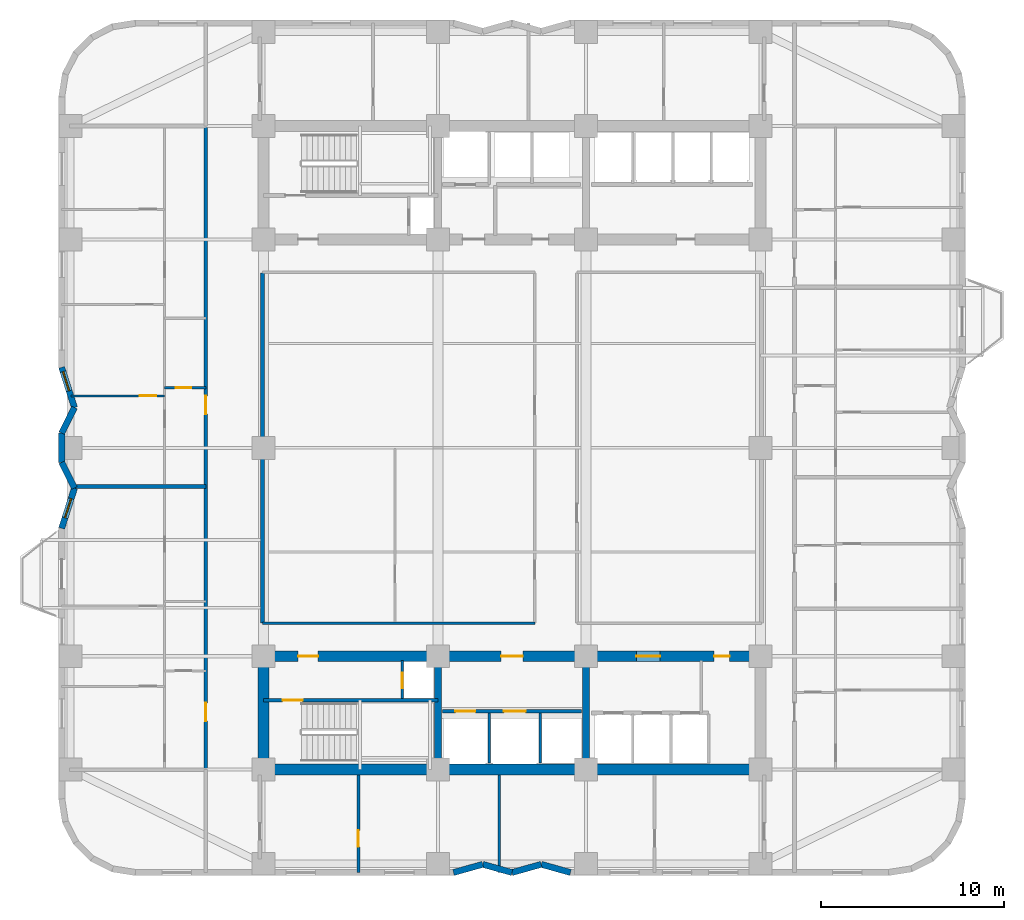
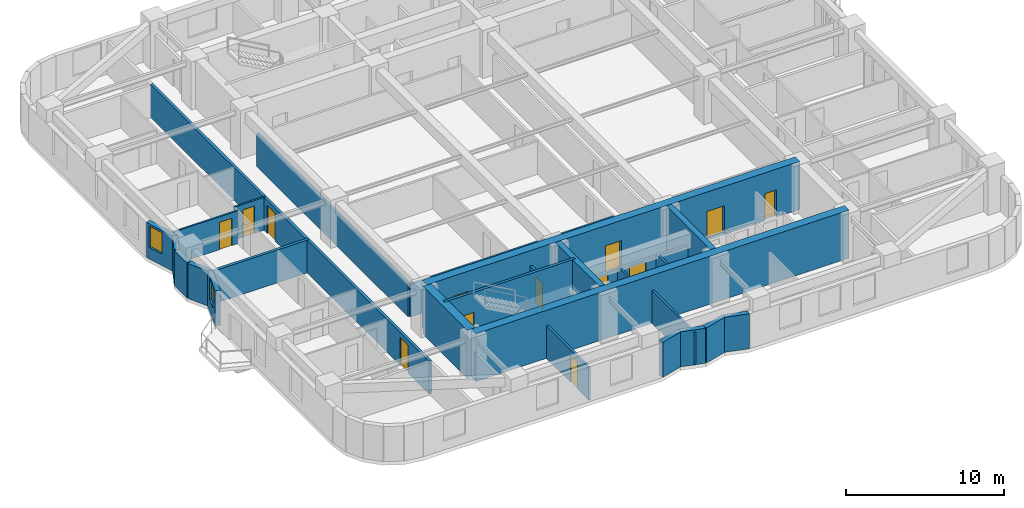
# One storey, part 3 of 9: 27 walls, 13 doors, 2 windows, 15 openings.
"""IFC4 building model written with IfcOpenShell, lengths in metres."""

from ifc_helpers import new_model, si_unit, direction, frame, frame_2d, origin, place, context, subcontext, project, spatial, rectangle, extrude, material, layer, layer_set, type_object, element, fill, save


model = new_model("IFC4")

# Units and contexts
model_context = context("Model", 3, precision=1e-05, world=origin(), true_north=direction((0.0, 1.0)))
body_context = subcontext(model_context, "Body", "Model", "MODEL_VIEW")
ifc_project = project(units=[si_unit("LENGTHUNIT", "METRE"), si_unit("AREAUNIT", "SQUARE_METRE"), si_unit("VOLUMEUNIT", "CUBIC_METRE"), si_unit("PLANEANGLEUNIT", "RADIAN"), si_unit("MASSUNIT", "GRAM", prefix="KILO")], contexts=[model_context])

# Site, building, storey
site_placement = place(None, origin())
site = spatial("IfcSite", under=ifc_project, at=site_placement, CompositionType="ELEMENT")
building_placement = place(site_placement, origin())
building = spatial("IfcBuilding", under=site, at=building_placement, Name="Svetorya Sky Lyceum", CompositionType="ELEMENT")
storey_placement = place(building_placement, frame((0.0, 0.0, 65.800048828125)))
storey = spatial("IfcBuildingStorey", under=building, at=storey_placement, Name="L16", CompositionType="ELEMENT", Elevation=65.800048828125)

# Walls
ifc_material_1 = material(Name="Concrete C40/50", Category="concrete")
ifc_layer_1 = layer(ifc_material_1, 0.39990234375)
ifc_layer_set_1 = layer_set([ifc_layer_1], Name="Concrete C40/50")
wall_type_1 = type_object("IfcWallType", Name="WL-CORE-400", PredefinedType="SHEAR", material=ifc_layer_set_1)
for number, where, z_axis, x_axis, name in (
    (1, (35.14990234375, 10.89990234375, 0.0), (0.0, 0.0, 1.0), (0.0, 1.0, 0.0), "L16 SC Internal Shear Web WEB1"),
    (2, (43.25, 10.89990234375, 0.0), (0.0, 0.0, 1.0), (0.0, 1.0, 0.0), "L16 SC Internal Shear Web WEB2"),
):
    element("IfcWall", number, at=place(storey_placement, frame(where, z_axis=z_axis, x_axis=x_axis)), inside=storey, type_object=wall_type_1, Name=name, PredefinedType="SHEAR", context=body_context, shape_type="SweptSolid", body=[
        extrude(rectangle(XDim=5.60009765625, YDim=0.39990234375, at=frame_2d((2.800048828125, 0.0))), origin(), (0.0, 0.0, 1.0), 3.699951171875),
    ])
ifc_material_2 = material(Name="Concrete C60/75", Category="concrete")
ifc_layer_2 = layer(ifc_material_2, 0.60009765625)
ifc_layer_set_2 = layer_set([ifc_layer_2], Name="Concrete C60/75")
wall_type_2 = type_object("IfcWallType", Name="WL-CORE-600", PredefinedType="SHEAR", material=ifc_layer_set_2)
wall_1_placement = place(storey_placement, frame((52.800048828125, 10.60009765625, 0.0), z_axis=(0.0, 0.0, 1.0), x_axis=(-1.0, 0.0, 0.0)))
element("IfcWall", 3, at=wall_1_placement, inside=storey, type_object=wall_type_2, Name="L16 SC Outer Core Shear Wall", PredefinedType="SHEAR", context=body_context, shape_type="SweptSolid", body=[
    extrude(rectangle(XDim=27.199951171875, YDim=0.60009765625, at=frame_2d((13.60009765625, 0.0))), origin(), (0.0, 0.0, 1.0), 3.699951171875),
])
wall_2_placement = place(storey_placement, frame((25.60009765625, 10.89990234375, 0.0), z_axis=(0.0, 0.0, 1.0), x_axis=(0.0, 1.0, 0.0)))
element("IfcWall", 4, at=wall_2_placement, inside=storey, type_object=wall_type_2, Name="L16 SC West Core Shear Wall", PredefinedType="SHEAR", context=body_context, shape_type="SweptSolid", body=[
    extrude(rectangle(XDim=5.60009765625, YDim=0.60009765625, at=frame_2d((2.800048828125, 0.0))), origin(), (0.0, 0.0, 1.0), 3.699951171875),
])

# Wall, openings, doors
wall_3_placement = place(storey_placement, frame((25.60009765625, 16.800048828125, 0.0), z_axis=(0.0, 0.0, 1.0), x_axis=(1.0, 0.0, 0.0)))
wall_3 = element("IfcWall", 5, at=wall_3_placement, inside=storey, type_object=wall_type_2, Name="L16 SC Inner Core Shear Wall", PredefinedType="SHEAR", context=body_context, shape_type="SweptSolid", body=[
    extrude(rectangle(XDim=27.199951171875, YDim=0.60009765625, at=frame_2d((13.60009765625, 0.0))), origin(), (0.0, 0.0, 1.0), 3.699951171875),
])
opening_1_placement = place(wall_3_placement, frame((1.89990234375, 0.0, 0.0)))
opening_1 = element("IfcOpeningElement", 6, at=opening_1_placement, cuts=wall_3, Name="Opening D-ST1", PredefinedType="OPENING", context=body_context, shape_type="SweptSolid", body=[
    extrude(rectangle(XDim=1.10009765625, YDim=2.14990234375, at=frame_2d((0.550048828125, 1.074951171875))), frame((0.0, 0.31005859375, 0.0), z_axis=(0.0, -1.0, 0.0), x_axis=(1.0, 0.0, 0.0)), (0.0, 0.0, 1.0), 0.6201171875),
])
opening_2_placement = place(wall_3_placement, frame((13.0, 0.0, 0.0)))
opening_2 = element("IfcOpeningElement", 7, at=opening_2_placement, cuts=wall_3, Name="Opening D-FL1", PredefinedType="OPENING", context=body_context, shape_type="SweptSolid", body=[
    extrude(rectangle(XDim=1.199951171875, YDim=2.14990234375, at=frame_2d((0.60009765625, 1.074951171875))), frame((0.0, 0.31005859375, 0.0), z_axis=(0.0, -1.0, 0.0), x_axis=(1.0, 0.0, 0.0)), (0.0, 0.0, 1.0), 0.6201171875),
])
opening_3_placement = place(wall_3_placement, frame((20.39990234375, 0.0, 0.0)))
opening_3 = element("IfcOpeningElement", 8, at=opening_3_placement, cuts=wall_3, Name="Opening D-LB1", PredefinedType="OPENING", context=body_context, shape_type="SweptSolid", body=[
    extrude(rectangle(XDim=1.300048828125, YDim=2.199951171875, at=frame_2d((0.64990234375, 1.10009765625))), frame((0.0, 0.31005859375, 0.0), z_axis=(0.0, -1.0, 0.0), x_axis=(1.0, 0.0, 0.0)), (0.0, 0.0, 1.0), 0.6201171875),
])
opening_4_placement = place(wall_3_placement, frame((24.64990234375, 0.0, 0.0)))
opening_4 = element("IfcOpeningElement", 9, at=opening_4_placement, cuts=wall_3, Name="Opening D-CWC1", PredefinedType="OPENING", context=body_context, shape_type="SweptSolid", body=[
    extrude(rectangle(XDim=0.85009765625, YDim=2.10009765625, at=frame_2d((0.425048828125, 1.050048828125))), frame((0.0, 0.31005859375, 0.0), z_axis=(0.0, -1.0, 0.0), x_axis=(1.0, 0.0, 0.0)), (0.0, 0.0, 1.0), 0.6201171875),
])
ifc_material_3 = material(Name="Fire-rated galvanized steel core service closet door", Category="steel")
door_type_1 = type_object("IfcDoorType", Name="DR-CWET-850", OperationType="SINGLE_SWING_LEFT", PredefinedType="DOOR", material=ifc_material_3)
door_1_placement = place(opening_4_placement, origin())
door_1 = element("IfcDoor", 10, at=door_1_placement, inside=storey, type_object=door_type_1, Name="L16 South Core Auxiliary Door", OperationType="SINGLE_SWING_LEFT", OverallHeight=2.10009765625, OverallWidth=0.85009765625, PredefinedType="DOOR", context=body_context, shape_type="SweptSolid", body=[
    extrude(rectangle(XDim=0.85009765625, YDim=2.10009765625, at=frame_2d((0.425048828125, 1.050048828125))), frame((0.0, 0.02490234375, 0.0), z_axis=(0.0, -1.0, 0.0), x_axis=(1.0, 0.0, 0.0)), (0.0, 0.0, 1.0), 0.050048828125),
])
fill(opening_4, door_1)
ifc_material_4 = material(Name="Powder-coated insulated galvanized stair fire door")
door_type_2 = type_object("IfcDoorType", Name="DR-FIRE-1100", OperationType="SINGLE_SWING_LEFT", PredefinedType="DOOR", material=ifc_material_4)
door_2_placement = place(opening_1_placement, origin())
door_2 = element("IfcDoor", 11, at=door_2_placement, inside=storey, type_object=door_type_2, Name="L16 South Stair Airlock Door", OperationType="SINGLE_SWING_RIGHT", OverallHeight=2.14990234375, OverallWidth=1.10009765625, PredefinedType="DOOR", context=body_context, shape_type="SweptSolid", body=[
    extrude(rectangle(XDim=1.10009765625, YDim=2.14990234375, at=frame_2d((0.550048828125, 1.074951171875))), frame((0.0, 0.02490234375, 0.0), z_axis=(0.0, -1.0, 0.0), x_axis=(1.0, 0.0, 0.0)), (0.0, 0.0, 1.0), 0.050048828125),
])
fill(opening_1, door_2)
ifc_material_5 = material(Name="Powder-coated insulated galvanized fire door")
door_type_3 = type_object("IfcDoorType", Name="DR-FIRE-1200", OperationType="SINGLE_SWING_LEFT", PredefinedType="DOOR", material=ifc_material_5)
door_3_placement = place(opening_2_placement, origin())
door_3 = element("IfcDoor", 12, at=door_3_placement, inside=storey, type_object=door_type_3, Name="L16 South Firefighting Lift Lobby Door", OperationType="SINGLE_SWING_LEFT", OverallHeight=2.14990234375, OverallWidth=1.199951171875, PredefinedType="DOOR", context=body_context, shape_type="SweptSolid", body=[
    extrude(rectangle(XDim=1.199951171875, YDim=2.14990234375, at=frame_2d((0.60009765625, 1.074951171875))), frame((0.0, 0.02490234375, 0.0), z_axis=(0.0, -1.0, 0.0), x_axis=(1.0, 0.0, 0.0)), (0.0, 0.0, 1.0), 0.050048828125),
])
fill(opening_2, door_3)
ifc_material_6 = material(Name="Glazed fire-rated aluminium lobby door", Category="aluminium")
door_type_4 = type_object("IfcDoorType", Name="DR-LOB-1300", OperationType="SINGLE_SWING_LEFT", PredefinedType="DOOR", material=ifc_material_6)
door_4_placement = place(opening_3_placement, origin())
door_4 = element("IfcDoor", 13, at=door_4_placement, inside=storey, type_object=door_type_4, Name="L16 Low-Rise Lift Lobby Door", OperationType="SINGLE_SWING_RIGHT", OverallHeight=2.199951171875, OverallWidth=1.300048828125, PredefinedType="DOOR", context=body_context, shape_type="SweptSolid", body=[
    extrude(rectangle(XDim=1.300048828125, YDim=2.199951171875, at=frame_2d((0.64990234375, 1.10009765625))), frame((0.0, 0.02490234375, 0.0), z_axis=(0.0, -1.0, 0.0), x_axis=(1.0, 0.0, 0.0)), (0.0, 0.0, 1.0), 0.050048828125),
])
fill(opening_3, door_4)

# Walls
ifc_material_7 = material(Name="Putilovo limestone rainscreen on autoclaved cellular masonry", Category="masonry")
ifc_layer_3 = layer(ifc_material_7, 0.340087890625)
ifc_layer_set_3 = layer_set([ifc_layer_3], Name="Putilovo limestone rainscreen on autoclaved cellular masonry")
wall_type_3 = type_object("IfcWallType", Name="WL-EXT-340", PredefinedType="SOLIDWALL", material=ifc_layer_set_3)
wall_4_placement = place(storey_placement, frame((36.0, 4.969970703125, 0.0), z_axis=(0.0, 0.0, 1.0), x_axis=(0.962662902433, 0.270703040766, 0.0)))
element("IfcWall", 14, at=wall_4_placement, inside=storey, type_object=wall_type_3, Name="L16 Limestone Exterior Wall 7M", PredefinedType="SOLIDWALL", context=body_context, shape_type="SweptSolid", body=[
    extrude(rectangle(XDim=1.662109375, YDim=0.340087890625, at=frame_2d((0.8310546875, 0.0))), origin(), (0.0, 0.0, 1.0), 2.699951171875),
])
wall_5_placement = place(storey_placement, frame((37.60009765625, 5.419921875, 0.0), z_axis=(0.0, 0.0, 1.0), x_axis=(0.962652136636, -0.270741322725, 0.0)))
element("IfcWall", 15, at=wall_5_placement, inside=storey, type_object=wall_type_3, Name="L16 Limestone Exterior Wall 8M", PredefinedType="SOLIDWALL", context=body_context, shape_type="SweptSolid", body=[
    extrude(rectangle(XDim=1.661865234375, YDim=0.340087890625, at=frame_2d((0.8310546875, 0.0))), origin(), (0.0, 0.0, 1.0), 2.699951171875),
])
wall_6_placement = place(storey_placement, frame((39.199951171875, 4.969970703125, 0.0), z_axis=(0.0, 0.0, 1.0), x_axis=(0.962662902433, 0.270703040766, 0.0)))
element("IfcWall", 16, at=wall_6_placement, inside=storey, type_object=wall_type_3, Name="L16 Limestone Exterior Wall 9M", PredefinedType="SOLIDWALL", context=body_context, shape_type="SweptSolid", body=[
    extrude(rectangle(XDim=1.662109375, YDim=0.340087890625, at=frame_2d((0.8310546875, 0.0))), origin(), (0.0, 0.0, 1.0), 2.699951171875),
])
wall_7_placement = place(storey_placement, frame((40.800048828125, 5.419921875, 0.0), z_axis=(0.0, 0.0, 1.0), x_axis=(0.962652136636, -0.270741322725, 0.0)))
element("IfcWall", 17, at=wall_7_placement, inside=storey, type_object=wall_type_3, Name="L16 Limestone Exterior Wall 10M", PredefinedType="SOLIDWALL", context=body_context, shape_type="SweptSolid", body=[
    extrude(rectangle(XDim=1.661865234375, YDim=0.340087890625, at=frame_2d((0.8310546875, 0.0))), origin(), (0.0, 0.0, 1.0), 2.699951171875),
])

# Wall, opening, window
wall_8_placement = place(storey_placement, frame((14.570068359375, 32.60009765625, 0.0), z_axis=(0.0, 0.0, 1.0), x_axis=(0.303160011437, -0.952939666225, 0.0)))
wall_8 = element("IfcWall", 18, at=wall_8_placement, inside=storey, type_object=wall_type_3, Name="L16 Limestone Exterior Wall 41M", PredefinedType="SOLIDWALL", context=body_context, shape_type="SweptSolid", body=[
    extrude(rectangle(XDim=2.308837890625, YDim=0.340087890625, at=frame_2d((1.154296875, 0.0))), origin(), (0.0, 0.0, 1.0), 2.699951171875),
])
opening_5_placement = place(wall_8_placement, frame((0.244384765625, 0.0, 0.889892578125)))
opening_5 = element("IfcOpeningElement", 19, at=opening_5_placement, cuts=wall_8, Name="Opening W-R3", PredefinedType="OPENING", context=body_context, shape_type="SweptSolid", body=[
    extrude(rectangle(XDim=1.10009765625, YDim=1.64990234375, at=frame_2d((0.550048828125, 0.824951171875))), frame((0.0, 0.179931640625, 0.0), z_axis=(0.0, -1.0, 0.0), x_axis=(1.0, 0.0, 0.0)), (0.0, 0.0, 1.0), 0.360107421875),
])
ifc_material_8 = material(Name="Thermally broken aluminium frame with triple low-E glazing", Category="aluminium")
window_type = type_object("IfcWindowType", Name="WN-RES-110", PartitioningType="SINGLE_PANEL", PredefinedType="WINDOW", material=ifc_material_8)
window_1_placement = place(opening_5_placement, origin())
window_1 = element("IfcWindow", 20, at=window_1_placement, inside=storey, type_object=window_type, Name="L16 Facade Window W-R3.41M.1", OverallHeight=1.64990234375, OverallWidth=1.10009765625, PartitioningType="SINGLE_PANEL", PredefinedType="WINDOW", context=body_context, shape_type="SweptSolid", body=[
    extrude(rectangle(XDim=1.10009765625, YDim=1.64990234375, at=frame_2d((0.550048828125, 0.824951171875))), frame((0.0, 0.030029296875, 0.0), z_axis=(0.0, -1.0, 0.0), x_axis=(1.0, 0.0, 0.0)), (0.0, 0.0, 1.0), 0.06005859375),
])
fill(opening_5, window_1)

# Walls
wall_9_placement = place(storey_placement, frame((15.27001953125, 30.39990234375, 0.0), z_axis=(0.0, 0.0, 1.0), x_axis=(-0.4472135955, -0.894427191, 0.0)))
element("IfcWall", 21, at=wall_9_placement, inside=storey, type_object=wall_type_3, Name="L16 Limestone Exterior Wall 42M", PredefinedType="SOLIDWALL", context=body_context, shape_type="SweptSolid", body=[
    extrude(rectangle(XDim=1.565185546875, YDim=0.340087890625, at=frame_2d((0.78271484375, 0.0))), origin(), (0.0, 0.0, 1.0), 2.699951171875),
])
wall_10_placement = place(storey_placement, frame((14.570068359375, 29.0, 0.0), z_axis=(0.0, 0.0, 1.0), x_axis=(0.0, -1.0, 0.0)))
element("IfcWall", 22, at=wall_10_placement, inside=storey, type_object=wall_type_3, Name="L16 Limestone Exterior Wall 43M", PredefinedType="SOLIDWALL", context=body_context, shape_type="SweptSolid", body=[
    extrude(rectangle(XDim=1.60009765625, YDim=0.340087890625, at=frame_2d((0.800048828125, 0.0))), origin(), (0.0, 0.0, 1.0), 2.699951171875),
])
wall_11_placement = place(storey_placement, frame((14.570068359375, 27.39990234375, 0.0), z_axis=(0.0, 0.0, 1.0), x_axis=(0.4472135955, -0.894427191, 0.0)))
element("IfcWall", 23, at=wall_11_placement, inside=storey, type_object=wall_type_3, Name="L16 Limestone Exterior Wall 44M", PredefinedType="SOLIDWALL", context=body_context, shape_type="SweptSolid", body=[
    extrude(rectangle(XDim=1.565185546875, YDim=0.340087890625, at=frame_2d((0.78271484375, 0.0))), origin(), (0.0, 0.0, 1.0), 2.699951171875),
])

# Wall, opening, window
wall_12_placement = place(storey_placement, frame((15.27001953125, 26.0, 0.0), z_axis=(0.0, 0.0, 1.0), x_axis=(-0.303190562272, -0.952929946507, 0.0)))
wall_12 = element("IfcWall", 24, at=wall_12_placement, inside=storey, type_object=wall_type_3, Name="L16 Limestone Exterior Wall 45M", PredefinedType="SOLIDWALL", context=body_context, shape_type="SweptSolid", body=[
    extrude(rectangle(XDim=2.30859375, YDim=0.340087890625, at=frame_2d((1.154296875, 0.0))), origin(), (0.0, 0.0, 1.0), 2.699951171875),
])
opening_6_placement = place(wall_12_placement, frame((0.604248046875, 0.0, 0.889892578125)))
opening_6 = element("IfcOpeningElement", 25, at=opening_6_placement, cuts=wall_12, Name="Opening W-R3", PredefinedType="OPENING", context=body_context, shape_type="SweptSolid", body=[
    extrude(rectangle(XDim=1.10009765625, YDim=1.64990234375, at=frame_2d((0.550048828125, 0.824951171875))), frame((0.0, 0.179931640625, 0.0), z_axis=(0.0, -1.0, 0.0), x_axis=(1.0, 0.0, 0.0)), (0.0, 0.0, 1.0), 0.360107421875),
])
window_2_placement = place(opening_6_placement, origin())
window_2 = element("IfcWindow", 26, at=window_2_placement, inside=storey, type_object=window_type, Name="L16 Facade Window W-R3.45M.1", OverallHeight=1.64990234375, OverallWidth=1.10009765625, PartitioningType="SINGLE_PANEL", PredefinedType="WINDOW", context=body_context, shape_type="SweptSolid", body=[
    extrude(rectangle(XDim=1.10009765625, YDim=1.64990234375, at=frame_2d((0.550048828125, 0.824951171875))), frame((0.0, 0.030029296875, 0.0), z_axis=(0.0, -1.0, 0.0), x_axis=(1.0, 0.0, 0.0)), (0.0, 0.0, 1.0), 0.06005859375),
])
fill(opening_6, window_2)

# Wall, opening, door
ifc_material_9 = material(Name="Twin-stud galvanized framing with double fireboard", Category="gypsum")
ifc_layer_4 = layer(ifc_material_9, 0.1201171875)
ifc_layer_set_4 = layer_set([ifc_layer_4], Name="Twin-stud galvanized framing with double fireboard")
wall_type_4 = type_object("IfcWallType", Name="WL-PART-120", PredefinedType="PARTITIONING", material=ifc_layer_set_4)
wall_13_placement = place(storey_placement, frame((20.199951171875, 31.488037109375, 0.0), z_axis=(0.0, 0.0, 1.0), x_axis=(1.0, 0.0, 0.0)))
wall_13 = element("IfcWall", 27, at=wall_13_placement, inside=storey, type_object=wall_type_4, Name="L16 Interior Partition W2-WH1", PredefinedType="PARTITIONING", context=body_context, shape_type="SweptSolid", body=[
    extrude(rectangle(XDim=2.25, YDim=0.1201171875, at=frame_2d((1.125, 0.0))), origin(), (0.0, 0.0, 1.0), 2.530029296875),
])
opening_7_placement = place(wall_13_placement, frame((0.60009765625, 0.0, 0.0)))
opening_7 = element("IfcOpeningElement", 28, at=opening_7_placement, cuts=wall_13, Name="Opening D-BT1", PredefinedType="OPENING", context=body_context, shape_type="SweptSolid", body=[
    extrude(rectangle(XDim=0.85009765625, YDim=2.10009765625, at=frame_2d((0.425048828125, 1.050048828125))), frame((0.0, 0.070068359375, 0.0), z_axis=(0.0, -1.0, 0.0), x_axis=(1.0, 0.0, 0.0)), (0.0, 0.0, 1.0), 0.14013671875),
])
ifc_material_10 = material(Name="Moisture-resistant laminate bathroom door")
door_type_5 = type_object("IfcDoorType", Name="DR-WET-850", OperationType="SINGLE_SWING_LEFT", PredefinedType="DOOR", material=ifc_material_10)
door_5_placement = place(opening_7_placement, origin())
door_5 = element("IfcDoor", 29, at=door_5_placement, inside=storey, type_object=door_type_5, Name="Apartment W2 Bathroom Door", OperationType="SINGLE_SWING_RIGHT", OverallHeight=2.10009765625, OverallWidth=0.85009765625, PredefinedType="DOOR", context=body_context, shape_type="SweptSolid", body=[
    extrude(rectangle(XDim=0.85009765625, YDim=2.10009765625, at=frame_2d((0.425048828125, 1.050048828125))), frame((0.0, 0.02490234375, 0.0), z_axis=(0.0, -1.0, 0.0), x_axis=(1.0, 0.0, 0.0)), (0.0, 0.0, 1.0), 0.050048828125),
])
fill(opening_7, door_5)

wall_14_placement = place(storey_placement, frame((15.06689453125, 31.0380859375, 0.0), z_axis=(0.0, 0.0, 1.0), x_axis=(1.0, 0.0, 0.0)))
wall_14 = element("IfcWall", 30, at=wall_14_placement, inside=storey, type_object=wall_type_4, Name="L16 Interior Partition W2-WL1", PredefinedType="PARTITIONING", context=body_context, shape_type="SweptSolid", body=[
    extrude(rectangle(XDim=5.133056640625, YDim=0.1201171875, at=frame_2d((2.56640625, 0.0))), origin(), (0.0, 0.0, 1.0), 2.530029296875),
])
opening_8_placement = place(wall_14_placement, frame((3.782958984375, 0.0, 0.0)))
opening_8 = element("IfcOpeningElement", 31, at=opening_8_placement, cuts=wall_14, Name="Opening D-RM1", PredefinedType="OPENING", context=body_context, shape_type="SweptSolid", body=[
    extrude(rectangle(XDim=0.89990234375, YDim=2.10009765625, at=frame_2d((0.449951171875, 1.050048828125))), frame((0.0, 0.070068359375, 0.0), z_axis=(0.0, -1.0, 0.0), x_axis=(1.0, 0.0, 0.0)), (0.0, 0.0, 1.0), 0.14013671875),
])
ifc_material_11 = material(Name="Lacquered birch veneer internal door")
door_type_6 = type_object("IfcDoorType", Name="DR-INT-900", OperationType="SINGLE_SWING_LEFT", PredefinedType="DOOR", material=ifc_material_11)
door_6_placement = place(opening_8_placement, origin())
door_6 = element("IfcDoor", 32, at=door_6_placement, inside=storey, type_object=door_type_6, Name="Apartment W2 Master Bedroom Door", OperationType="SINGLE_SWING_RIGHT", OverallHeight=2.10009765625, OverallWidth=0.89990234375, PredefinedType="DOOR", context=body_context, shape_type="SweptSolid", body=[
    extrude(rectangle(XDim=0.89990234375, YDim=2.10009765625, at=frame_2d((0.449951171875, 1.050048828125))), frame((0.0, 0.02490234375, 0.0), z_axis=(0.0, -1.0, 0.0), x_axis=(1.0, 0.0, 0.0)), (0.0, 0.0, 1.0), 0.050048828125),
])
fill(opening_8, door_6)

ifc_material_12 = material(Name="Autoclaved cellular masonry blockwork with acoustic render", Category="masonry")
ifc_layer_5 = layer(ifc_material_12, 0.14990234375)
ifc_layer_set_5 = layer_set([ifc_layer_5], Name="Autoclaved cellular masonry blockwork with acoustic render")
wall_type_5 = type_object("IfcWallType", Name="WL-PART-150", PredefinedType="PARTITIONING", material=ifc_layer_set_5)
wall_15_placement = place(storey_placement, frame((33.199951171875, 14.5, 0.0), z_axis=(0.0, 0.0, 1.0), x_axis=(0.0, 1.0, 0.0)))
wall_15 = element("IfcWall", 33, at=wall_15_placement, inside=storey, type_object=wall_type_5, Name="L16 Interior Partition SC-AIRDIV", PredefinedType="PARTITIONING", context=body_context, shape_type="SweptSolid", body=[
    extrude(rectangle(XDim=2.080078125, YDim=0.14990234375, at=frame_2d((1.0400390625, 0.0))), origin(), (0.0, 0.0, 1.0), 2.530029296875),
])
opening_9_placement = place(wall_15_placement, frame((0.550048828125, 0.0, 0.0)))
opening_9 = element("IfcOpeningElement", 34, at=opening_9_placement, cuts=wall_15, Name="Opening D-SH1", PredefinedType="OPENING", context=body_context, shape_type="SweptSolid", body=[
    extrude(rectangle(XDim=0.85009765625, YDim=2.050048828125, at=frame_2d((0.425048828125, 1.02490234375))), frame((0.0, 0.0849609375, 0.0), z_axis=(0.0, -1.0, 0.0), x_axis=(1.0, 0.0, 0.0)), (0.0, 0.0, 1.0), 0.169921875),
])
ifc_material_13 = material(Name="Insulated galvanized riser inspection fire door")
door_type_7 = type_object("IfcDoorType", Name="DR-SHFT-850", OperationType="SINGLE_SWING_LEFT", PredefinedType="TRAPDOOR", material=ifc_material_13)
door_7_placement = place(opening_9_placement, origin())
door_7 = element("IfcDoor", 35, at=door_7_placement, inside=storey, type_object=door_type_7, Name="L16 South Riser Access Door", OperationType="SINGLE_SWING_RIGHT", OverallHeight=2.050048828125, OverallWidth=0.85009765625, PredefinedType="TRAPDOOR", context=body_context, shape_type="SweptSolid", body=[
    extrude(rectangle(XDim=0.85009765625, YDim=2.050048828125, at=frame_2d((0.425048828125, 1.02490234375))), frame((0.0, 0.02490234375, 0.0), z_axis=(0.0, -1.0, 0.0), x_axis=(1.0, 0.0, 0.0)), (0.0, 0.0, 1.0), 0.050048828125),
])
fill(opening_9, door_7)

# Walls
for number, where, z_axis, x_axis, name in (
    (36, (37.949951171875, 10.949951171875, 0.0), (0.0, 0.0, 1.0), (0.0, 1.0, 0.0), "L16 Interior Partition SC-SHD1"),
    (37, (40.75, 10.949951171875, 0.0), (0.0, 0.0, 1.0), (0.0, 1.0, 0.0), "L16 Interior Partition SC-SHD2"),
):
    element("IfcWall", number, at=place(storey_placement, frame(where, z_axis=z_axis, x_axis=x_axis)), inside=storey, type_object=wall_type_5, Name=name, PredefinedType="PARTITIONING", context=body_context, shape_type="SweptSolid", body=[
        extrude(rectangle(XDim=2.75, YDim=0.14990234375, at=frame_2d((1.375, 0.0))), origin(), (0.0, 0.0, 1.0), 2.530029296875),
    ])
wall_16_placement = place(storey_placement, frame((25.550048828125, 18.60009765625, 0.0), z_axis=(0.0, 0.0, 1.0), x_axis=(1.0, 0.0, 0.0)))
element("IfcWall", 38, at=wall_16_placement, inside=storey, type_object=wall_type_5, Name="L16 Interior Partition CS-MID-W", PredefinedType="PARTITIONING", context=body_context, shape_type="SweptSolid", body=[
    extrude(rectangle(XDim=14.89990234375, YDim=0.14990234375, at=frame_2d((7.449951171875, 0.0))), origin(), (0.0, 0.0, 1.0), 2.530029296875),
])

# Wall, opening, door
wall_17_placement = place(storey_placement, frame((30.800048828125, 4.969970703125, 0.0), z_axis=(0.0, 0.0, 1.0), x_axis=(0.0, 1.0, 0.0)))
wall_17 = element("IfcWall", 39, at=wall_17_placement, inside=storey, type_object=wall_type_5, Name="L16 Interior Partition S4-D1", PredefinedType="PARTITIONING", context=body_context, shape_type="SweptSolid", body=[
    extrude(rectangle(XDim=5.330078125, YDim=0.14990234375, at=frame_2d((2.6650390625, 0.0))), origin(), (0.0, 0.0, 1.0), 2.530029296875),
])
opening_10_placement = place(wall_17_placement, frame((1.39990234375, 0.0, 0.0)))
opening_10 = element("IfcOpeningElement", 40, at=opening_10_placement, cuts=wall_17, Name="Opening D-RM1", PredefinedType="OPENING", context=body_context, shape_type="SweptSolid", body=[
    extrude(rectangle(XDim=0.89990234375, YDim=2.10009765625, at=frame_2d((0.449951171875, 1.050048828125))), frame((0.0, 0.0849609375, 0.0), z_axis=(0.0, -1.0, 0.0), x_axis=(1.0, 0.0, 0.0)), (0.0, 0.0, 1.0), 0.169921875),
])
door_8_placement = place(opening_10_placement, origin())
door_8 = element("IfcDoor", 41, at=door_8_placement, inside=storey, type_object=door_type_6, Name="L16 South Suite Door 1", OperationType="SINGLE_SWING_LEFT", OverallHeight=2.10009765625, OverallWidth=0.89990234375, PredefinedType="DOOR", context=body_context, shape_type="SweptSolid", body=[
    extrude(rectangle(XDim=0.89990234375, YDim=2.10009765625, at=frame_2d((0.449951171875, 1.050048828125))), frame((0.0, 0.02490234375, 0.0), z_axis=(0.0, -1.0, 0.0), x_axis=(1.0, 0.0, 0.0)), (0.0, 0.0, 1.0), 0.050048828125),
])
fill(opening_10, door_8)

# Wall
wall_18_placement = place(storey_placement, frame((38.5, 4.969970703125, 0.0), z_axis=(0.0, 0.0, 1.0), x_axis=(0.0, 1.0, 0.0)))
element("IfcWall", 42, at=wall_18_placement, inside=storey, type_object=wall_type_5, Name="L16 Interior Partition S4-D2", PredefinedType="PARTITIONING", context=body_context, shape_type="SweptSolid", body=[
    extrude(rectangle(XDim=5.330078125, YDim=0.14990234375, at=frame_2d((2.6650390625, 0.0))), origin(), (0.0, 0.0, 1.0), 2.530029296875),
])

# Wall, openings, doors
ifc_material_14 = material(Name="Autoclaved cellular masonry blockwork with gypsum plaster", Category="masonry")
ifc_layer_6 = layer(ifc_material_14, 0.199951171875)
ifc_layer_set_6 = layer_set([ifc_layer_6], Name="Autoclaved cellular masonry blockwork with gypsum plaster")
wall_type_6 = type_object("IfcWallType", Name="WL-PART-200", PredefinedType="PARTITIONING", material=ifc_layer_set_6)
wall_19_placement = place(storey_placement, frame((35.39990234375, 13.800048828125, 0.0), z_axis=(0.0, 0.0, 1.0), x_axis=(1.0, 0.0, 0.0)))
wall_19 = element("IfcWall", 43, at=wall_19_placement, inside=storey, type_object=wall_type_6, Name="L16 Interior Partition SC-FLW", PredefinedType="PARTITIONING", context=body_context, shape_type="SweptSolid", body=[
    extrude(rectangle(XDim=7.60009765625, YDim=0.199951171875, at=frame_2d((3.800048828125, 0.0))), origin(), (0.0, 0.0, 1.0), 2.300048828125),
])
opening_11_placement = place(wall_19_placement, frame((0.699951171875, 0.0, 0.0)))
opening_11 = element("IfcOpeningElement", 44, at=opening_11_placement, cuts=wall_19, Name="Opening LD-FL", PredefinedType="OPENING", context=body_context, shape_type="SweptSolid", body=[
    extrude(rectangle(XDim=1.10009765625, YDim=2.14990234375, at=frame_2d((0.550048828125, 1.074951171875))), frame((0.0, 0.10986328125, 0.0), z_axis=(0.0, -1.0, 0.0), x_axis=(1.0, 0.0, 0.0)), (0.0, 0.0, 1.0), 0.219970703125),
])
opening_12_placement = place(wall_19_placement, frame((3.35009765625, 0.0, 0.0)))
opening_12 = element("IfcOpeningElement", 45, at=opening_12_placement, cuts=wall_19, Name="Opening LD-SV", PredefinedType="OPENING", context=body_context, shape_type="SweptSolid", body=[
    extrude(rectangle(XDim=1.199951171875, YDim=2.14990234375, at=frame_2d((0.60009765625, 1.074951171875))), frame((0.0, 0.10986328125, 0.0), z_axis=(0.0, -1.0, 0.0), x_axis=(1.0, 0.0, 0.0)), (0.0, 0.0, 1.0), 0.219970703125),
])
ifc_material_15 = material(Name="Fire-rated stainless AISI 304 firefighting lift landing door")
door_type_8 = type_object("IfcDoorType", Name="DR-LIFT-1100", OperationType="SLIDING_TO_LEFT", PredefinedType="DOOR", material=ifc_material_15)
door_9_placement = place(opening_11_placement, origin())
door_9 = element("IfcDoor", 46, at=door_9_placement, inside=storey, type_object=door_type_8, Name="L16 Firefighting Lift FL2 Landing Door", OperationType="SLIDING_TO_LEFT", OverallHeight=2.14990234375, OverallWidth=1.10009765625, PredefinedType="DOOR", context=body_context, shape_type="SweptSolid", body=[
    extrude(rectangle(XDim=1.10009765625, YDim=2.14990234375, at=frame_2d((0.550048828125, 1.074951171875))), frame((0.0, 0.02490234375, 0.0), z_axis=(0.0, -1.0, 0.0), x_axis=(1.0, 0.0, 0.0)), (0.0, 0.0, 1.0), 0.050048828125),
])
fill(opening_11, door_9)
ifc_material_16 = material(Name="Brushed stainless AISI 304 telescopic lift landing door")
door_type_9 = type_object("IfcDoorType", Name="DR-LIFT-1200", OperationType="SLIDING_TO_LEFT", PredefinedType="DOOR", material=ifc_material_16)
door_10_placement = place(opening_12_placement, origin())
door_10 = element("IfcDoor", 47, at=door_10_placement, inside=storey, type_object=door_type_9, Name="L16 Service Lift SVL1 Landing Door", OperationType="SLIDING_TO_LEFT", OverallHeight=2.14990234375, OverallWidth=1.199951171875, PredefinedType="DOOR", context=body_context, shape_type="SweptSolid", body=[
    extrude(rectangle(XDim=1.199951171875, YDim=2.14990234375, at=frame_2d((0.60009765625, 1.074951171875))), frame((0.0, 0.02490234375, 0.0), z_axis=(0.0, -1.0, 0.0), x_axis=(1.0, 0.0, 0.0)), (0.0, 0.0, 1.0), 0.050048828125),
])
fill(opening_12, door_10)

# Walls
wall_20_placement = place(storey_placement, frame((25.550048828125, 18.6298828125, 0.0), z_axis=(0.0, 0.0, 1.0), x_axis=(0.0, 1.0, 0.0)))
element("IfcWall", 48, at=wall_20_placement, inside=storey, type_object=wall_type_6, Name="L16 Interior Partition W-CEN-SEP", PredefinedType="PARTITIONING", context=body_context, shape_type="SweptSolid", body=[
    extrude(rectangle(XDim=19.14013671875, YDim=0.199951171875, at=frame_2d((9.570068359375, 0.0))), origin(), (0.0, 0.0, 1.0), 2.530029296875),
])
wall_21_placement = place(storey_placement, frame((15.22607421875, 26.087890625, 0.0), z_axis=(0.0, 0.0, 1.0), x_axis=(1.0, 0.0, 0.0)))
element("IfcWall", 49, at=wall_21_placement, inside=storey, type_object=wall_type_6, Name="L16 Interior Partition W-PARTY-1", PredefinedType="PARTITIONING", context=body_context, shape_type="SweptSolid", body=[
    extrude(rectangle(XDim=7.223876953125, YDim=0.199951171875, at=frame_2d((3.61181640625, 0.0))), origin(), (0.0, 0.0, 1.0), 2.530029296875),
])

# Wall, openings, doors
wall_22_placement = place(storey_placement, frame((22.449951171875, 10.60009765625, 0.0), z_axis=(0.0, 0.0, 1.0), x_axis=(0.0, 1.0, 0.0)))
wall_22 = element("IfcWall", 50, at=wall_22_placement, inside=storey, type_object=wall_type_6, Name="L16 Interior Partition W-CORRW", PredefinedType="PARTITIONING", context=body_context, shape_type="SweptSolid", body=[
    extrude(rectangle(XDim=35.199951171875, YDim=0.199951171875, at=frame_2d((17.60009765625, 0.0))), origin(), (0.0, 0.0, 1.0), 2.530029296875),
])
opening_13_placement = place(wall_22_placement, frame((2.64990234375, 0.0, 0.0)))
opening_13 = element("IfcOpeningElement", 51, at=opening_13_placement, cuts=wall_22, Name="Opening D-APT1", PredefinedType="OPENING", context=body_context, shape_type="SweptSolid", body=[
    extrude(rectangle(XDim=1.0, YDim=2.14990234375, at=frame_2d((0.5, 1.074951171875))), frame((0.0, 0.10986328125, 0.0), z_axis=(0.0, -1.0, 0.0), x_axis=(1.0, 0.0, 0.0)), (0.0, 0.0, 1.0), 0.219970703125),
])
opening_14_placement = place(wall_22_placement, frame((19.43798828125, 0.0, 0.0)))
opening_14 = element("IfcOpeningElement", 52, at=opening_14_placement, cuts=wall_22, Name="Opening D-APT1", PredefinedType="OPENING", context=body_context, shape_type="SweptSolid", body=[
    extrude(rectangle(XDim=1.0, YDim=2.14990234375, at=frame_2d((0.5, 1.074951171875))), frame((0.0, 0.10986328125, 0.0), z_axis=(0.0, -1.0, 0.0), x_axis=(1.0, 0.0, 0.0)), (0.0, 0.0, 1.0), 0.219970703125),
])
ifc_material_17 = material(Name="Insulated oak-veneered apartment entrance door")
door_type_10 = type_object("IfcDoorType", Name="DR-APT-1000", OperationType="SINGLE_SWING_LEFT", PredefinedType="DOOR", material=ifc_material_17)
door_11_placement = place(opening_13_placement, origin())
door_11 = element("IfcDoor", 53, at=door_11_placement, inside=storey, type_object=door_type_10, Name="L16 Apartment W1 Entrance Door", OperationType="SINGLE_SWING_LEFT", OverallHeight=2.14990234375, OverallWidth=1.0, PredefinedType="DOOR", context=body_context, shape_type="SweptSolid", body=[
    extrude(rectangle(XDim=1.0, YDim=2.14990234375, at=frame_2d((0.5, 1.074951171875))), frame((0.0, 0.02490234375, 0.0), z_axis=(0.0, -1.0, 0.0), x_axis=(1.0, 0.0, 0.0)), (0.0, 0.0, 1.0), 0.050048828125),
])
fill(opening_13, door_11)
door_12_placement = place(opening_14_placement, origin())
door_12 = element("IfcDoor", 54, at=door_12_placement, inside=storey, type_object=door_type_10, Name="L16 Apartment W2 Entrance Door", OperationType="SINGLE_SWING_RIGHT", OverallHeight=2.14990234375, OverallWidth=1.0, PredefinedType="DOOR", context=body_context, shape_type="SweptSolid", body=[
    extrude(rectangle(XDim=1.0, YDim=2.14990234375, at=frame_2d((0.5, 1.074951171875))), frame((0.0, 0.02490234375, 0.0), z_axis=(0.0, -1.0, 0.0), x_axis=(1.0, 0.0, 0.0)), (0.0, 0.0, 1.0), 0.050048828125),
])
fill(opening_14, door_12)

# Wall, opening, door
ifc_material_18 = material(Name="Concrete C50/60", Category="concrete")
ifc_layer_7 = layer(ifc_material_18, 0.199951171875)
ifc_layer_set_7 = layer_set([ifc_layer_7], Name="Concrete C50/60")
wall_type_7 = type_object("IfcWallType", Name="WL-SHW-200", PredefinedType="SHEAR", material=ifc_layer_set_7)
wall_23_placement = place(storey_placement, frame((25.60009765625, 14.39990234375, 0.0), z_axis=(0.0, 0.0, 1.0), x_axis=(1.0, 0.0, 0.0)))
wall_23 = element("IfcWall", 55, at=wall_23_placement, inside=storey, type_object=wall_type_7, Name="L16 Structural Stair Shaft Wall SC-STW", PredefinedType="SHEAR", context=body_context, shape_type="SweptSolid", body=[
    extrude(rectangle(XDim=9.5498046875, YDim=0.199951171875, at=frame_2d((4.77490234375, 0.0))), origin(), (0.0, 0.0, 1.0), 3.699951171875),
])
opening_15_placement = place(wall_23_placement, frame((1.050048828125, 0.0, 0.0)))
opening_15 = element("IfcOpeningElement", 56, at=opening_15_placement, cuts=wall_23, Name="Opening D-ST1", PredefinedType="OPENING", context=body_context, shape_type="SweptSolid", body=[
    extrude(rectangle(XDim=1.10009765625, YDim=2.14990234375, at=frame_2d((0.550048828125, 1.074951171875))), frame((0.0, 0.10986328125, 0.0), z_axis=(0.0, -1.0, 0.0), x_axis=(1.0, 0.0, 0.0)), (0.0, 0.0, 1.0), 0.219970703125),
])
door_13_placement = place(opening_15_placement, origin())
door_13 = element("IfcDoor", 57, at=door_13_placement, inside=storey, type_object=door_type_2, Name="L16 Stair ST-S Vestibule Fire Door", OperationType="SINGLE_SWING_LEFT", OverallHeight=2.14990234375, OverallWidth=1.10009765625, PredefinedType="DOOR", context=body_context, shape_type="SweptSolid", body=[
    extrude(rectangle(XDim=1.10009765625, YDim=2.14990234375, at=frame_2d((0.550048828125, 1.074951171875))), frame((0.0, 0.02490234375, 0.0), z_axis=(0.0, -1.0, 0.0), x_axis=(1.0, 0.0, 0.0)), (0.0, 0.0, 1.0), 0.050048828125),
])
fill(opening_15, door_13)

save(model, "model.ifc")
